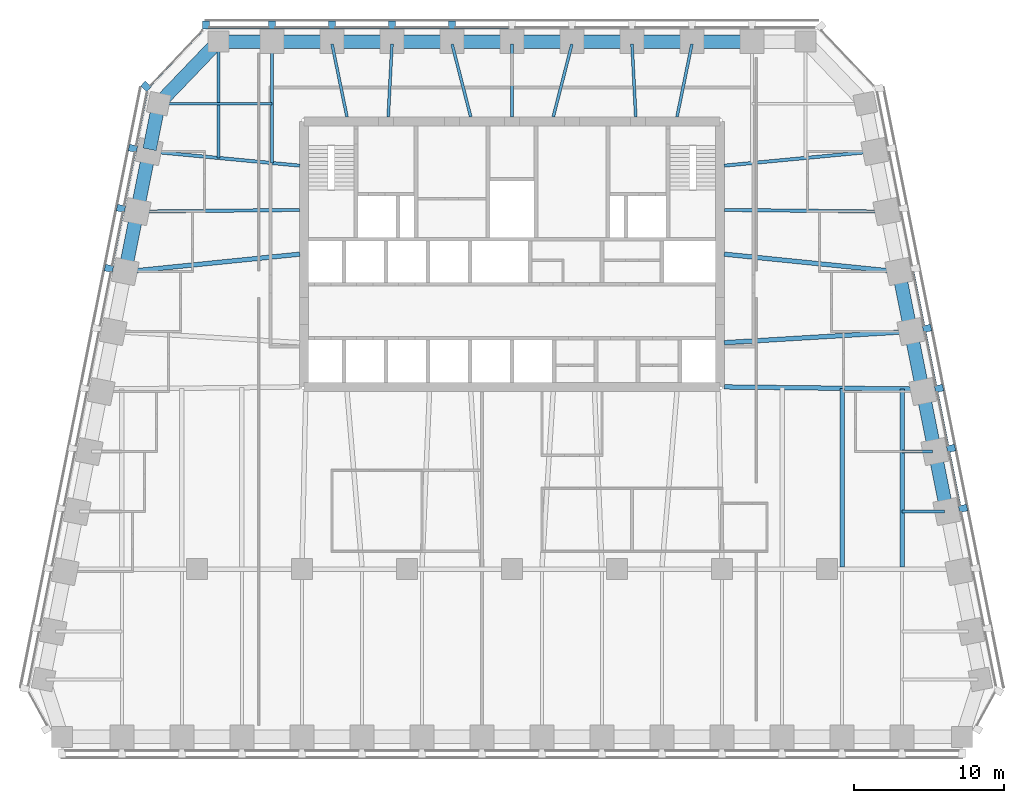
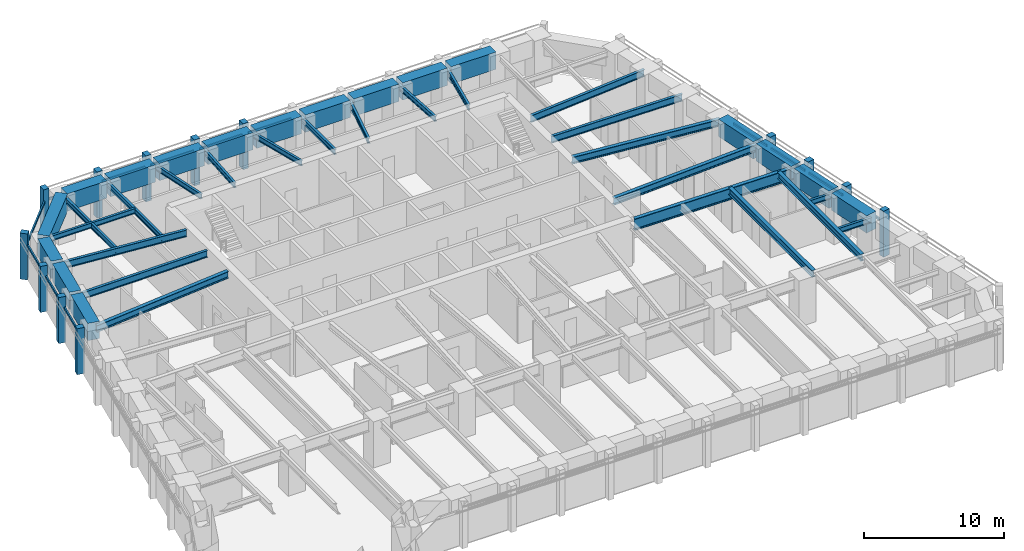
# One storey, part 3 of 10: 39 beams, 26 members, 4 elements without a shape of their own.
"""IFC4 building model written with IfcOpenShell, lengths in metres."""

from ifc_helpers import new_model, si_unit, direction, frame, origin, origin_2d, place, context, subcontext, project, spatial, rectangle, i_section, extrude, material, material_profile, profile_set, type_object, element, aggregate, save


model = new_model("IFC4")

# Units and contexts
model_context = context("Model", 3, precision=1e-05, world=origin(), true_north=direction((0.0, 1.0)))
body_context = subcontext(model_context, "Body", "Model", "MODEL_VIEW")
ifc_project = project(units=[si_unit("LENGTHUNIT", "METRE"), si_unit("AREAUNIT", "SQUARE_METRE"), si_unit("VOLUMEUNIT", "CUBIC_METRE"), si_unit("PLANEANGLEUNIT", "RADIAN"), si_unit("MASSUNIT", "GRAM", prefix="KILO")], contexts=[model_context])

# Site, building, storey
site_placement = place(None, origin())
site = spatial("IfcSite", under=ifc_project, at=site_placement, CompositionType="ELEMENT")
building_placement = place(site_placement, origin())
building = spatial("IfcBuilding", under=site, at=building_placement, Name="Isbrekke Arena Tower", CompositionType="ELEMENT")
storey_placement = place(building_placement, frame((0.0, 0.0, 198.0)))
storey = spatial("IfcBuildingStorey", under=building, at=storey_placement, Name="L45", CompositionType="ELEMENT", Elevation=198.0)

# Beams
ifc_material_1 = material(Name="Steel S355", Category="steel")
ifc_material_profile_1 = material_profile(ifc_material_1, i_section(OverallWidth=0.219970703125, OverallDepth=0.60009765625, WebThickness=0.011962890625, FlangeThickness=0.01904296875, FilletRadius=0.02392578125, at=origin_2d()), Name="IPE 600")
ifc_profile_set_1 = profile_set([ifc_material_profile_1], Name="Steel S355")
beam_type_1 = type_object("IfcBeamType", Name="B1 IPE 600", PredefinedType="BEAM", material=ifc_profile_set_1)
beam_1_placement = place(storey_placement, frame((24.83984375, 17.838134765625, 3.550048828125), z_axis=(-0.999945299061, 0.010459392202, 0.0), x_axis=(-0.010459392202, -0.999945299061, 0.0)))
element("IfcBeam", 1, at=beam_1_placement, inside=storey, type_object=beam_type_1, Name="B1 beam E-E09 L45", PredefinedType="BEAM", context=body_context, shape_type="SweptSolid", body=[
    extrude(i_section(OverallWidth=0.219970703125, OverallDepth=0.60009765625, WebThickness=0.011962890625, FlangeThickness=0.01904296875, FilletRadius=0.02392578125, at=origin_2d()), origin(), (0.0, 0.0, 1.0), 10.6904296875),
])
for number, where, z_axis, x_axis, name in (
    (2, (24.03076171875, 21.837158203125, 3.550048828125), (-0.99553133081, -0.094431823952, 0.0), (0.094431823952, -0.99553133081, 0.0), "B1 beam E-E10 L45"),
    (3, (-24.03076171875, 21.837158203125, 3.550048828125), (0.99553133081, -0.094431823952, 0.0), (0.094431823952, 0.99553133081, 0.0), "B1 beam E-W02 L45"),
):
    element("IfcBeam", number, at=place(storey_placement, frame(where, z_axis=z_axis, x_axis=x_axis)), inside=storey, type_object=beam_type_1, Name=name, PredefinedType="BEAM", context=body_context, shape_type="SweptSolid", body=[
        extrude(i_section(OverallWidth=0.219970703125, OverallDepth=0.60009765625, WebThickness=0.011962890625, FlangeThickness=0.01904296875, FilletRadius=0.02392578125, at=origin_2d()), origin(), (0.0, 0.0, 1.0), 9.92529296875),
    ])
beam_2_placement = place(storey_placement, frame((-24.83984375, 17.838134765625, 3.550048828125), z_axis=(0.999945299061, 0.010459392202, 0.0), x_axis=(-0.010459392202, 0.999945299061, 0.0)))
element("IfcBeam", 4, at=beam_2_placement, inside=storey, type_object=beam_type_1, Name="B1 beam E-W03 L45", PredefinedType="BEAM", context=body_context, shape_type="SweptSolid", body=[
    extrude(i_section(OverallWidth=0.219970703125, OverallDepth=0.60009765625, WebThickness=0.011962890625, FlangeThickness=0.01904296875, FilletRadius=0.02392578125, at=origin_2d()), origin(), (0.0, 0.0, 1.0), 10.6904296875),
])
ifc_material_2 = material(Name="Steel S355", Category="steel")
ifc_material_profile_2 = material_profile(ifc_material_2, i_section(OverallWidth=0.18994140625, OverallDepth=0.449951171875, WebThickness=0.009521484375, FlangeThickness=0.0146484375, FilletRadius=0.02099609375, at=origin_2d()), Name="IPE 450")
ifc_profile_set_2 = profile_set([ifc_material_profile_2], Name="Steel S355")
beam_type_2 = type_object("IfcBeamType", Name="B2 IPE 450", PredefinedType="BEAM", material=ifc_profile_set_2)
beam_3_placement = place(storey_placement, frame((28.841064453125, -2.161865234375, 3.625), z_axis=(-1.0, 0.0, 0.0), x_axis=(0.0, -1.0, 0.0)))
element("IfcBeam", 5, at=beam_3_placement, inside=storey, type_object=beam_type_2, Name="B2 beam E-E04 L45", PredefinedType="BEAM", context=body_context, shape_type="SweptSolid", body=[
    extrude(i_section(OverallWidth=0.18994140625, OverallDepth=0.449951171875, WebThickness=0.009521484375, FlangeThickness=0.0146484375, FilletRadius=0.02099609375, at=origin_2d()), origin(), (0.0, 0.0, 1.0), 2.841064453125),
])
beam_4_placement = place(storey_placement, frame((28.041015625, 1.838134765625, 3.625), z_axis=(-1.0, 0.0, 0.0), x_axis=(0.0, -1.0, 0.0)))
element("IfcBeam", 6, at=beam_4_placement, inside=storey, type_object=beam_type_2, Name="B2 beam E-E05 L45", PredefinedType="BEAM", context=body_context, shape_type="SweptSolid", body=[
    extrude(i_section(OverallWidth=0.18994140625, OverallDepth=0.449951171875, WebThickness=0.009521484375, FlangeThickness=0.0146484375, FilletRadius=0.02099609375, at=origin_2d()), origin(), (0.0, 0.0, 1.0), 2.041015625),
])
beam_5_placement = place(storey_placement, frame((-23.40283203125, 25.029296875, 3.625), z_axis=(1.0, 0.0, 0.0), x_axis=(0.0, 1.0, 0.0)))
element("IfcBeam", 7, at=beam_5_placement, inside=storey, type_object=beam_type_2, Name="B2 beam E-W01 L45", PredefinedType="BEAM", context=body_context, shape_type="SweptSolid", body=[
    extrude(i_section(OverallWidth=0.18994140625, OverallDepth=0.449951171875, WebThickness=0.009521484375, FlangeThickness=0.0146484375, FilletRadius=0.02099609375, at=origin_2d()), origin(), (0.0, 0.0, 1.0), 7.40283203125),
])
ifc_material_3 = material(Name="Steel S355", Category="steel")
ifc_material_profile_3 = material_profile(ifc_material_3, i_section(OverallWidth=0.18994140625, OverallDepth=0.449951171875, WebThickness=0.009521484375, FlangeThickness=0.0146484375, FilletRadius=0.02099609375, at=origin_2d()), Name="IPE 450")
ifc_profile_set_3 = profile_set([ifc_material_profile_3], Name="Steel S355")
beam_type_3 = type_object("IfcBeamType", Name="B3 IPE 450", PredefinedType="BEAM", material=ifc_profile_set_3)
beam_6_placement = place(storey_placement, frame((-16.0, 29.02490234375, 3.625), z_axis=(0.0, -1.0, 0.0), x_axis=(1.0, 0.0, 0.0)))
element("IfcBeam", 8, at=beam_6_placement, inside=storey, type_object=beam_type_3, Name="B3 beam N-N10 L45", PredefinedType="BEAM", context=body_context, shape_type="SweptSolid", body=[
    extrude(i_section(OverallWidth=0.18994140625, OverallDepth=0.449951171875, WebThickness=0.009521484375, FlangeThickness=0.0146484375, FilletRadius=0.02099609375, at=origin_2d()), origin(), (0.0, 0.0, 1.0), 7.949462890625),
])
beam_7_placement = place(storey_placement, frame((-19.574951171875, 29.02490234375, 3.625), z_axis=(0.0, -1.0, 0.0), x_axis=(1.0, 0.0, 0.0)))
element("IfcBeam", 9, at=beam_7_placement, inside=storey, type_object=beam_type_3, Name="B3 beam N-N11 L45", PredefinedType="BEAM", context=body_context, shape_type="SweptSolid", body=[
    extrude(i_section(OverallWidth=0.18994140625, OverallDepth=0.449951171875, WebThickness=0.009521484375, FlangeThickness=0.0146484375, FilletRadius=0.02099609375, at=origin_2d()), origin(), (0.0, 0.0, 1.0), 7.6103515625),
])
beam_8_placement = place(storey_placement, frame((11.99609375, 29.00634765625, 3.625), z_axis=(-0.200924755878, -0.979606677435, 0.0), x_axis=(0.979606677435, -0.200924755878, 0.0)))
element("IfcBeam", 10, at=beam_8_placement, inside=storey, type_object=beam_type_3, Name="B3 beam N-N03 L45", PredefinedType="BEAM", context=body_context, shape_type="SweptSolid", body=[
    extrude(i_section(OverallWidth=0.18994140625, OverallDepth=0.449951171875, WebThickness=0.009521484375, FlangeThickness=0.0146484375, FilletRadius=0.02099609375, at=origin_2d()), origin(), (0.0, 0.0, 1.0), 4.95751953125),
])
beam_9_placement = place(storey_placement, frame((8.000244140625, 29.02001953125, 3.625), z_axis=(0.051216032312, -0.998687597817, 0.0), x_axis=(0.998687597817, 0.051216032312, 0.0)))
element("IfcBeam", 11, at=beam_9_placement, inside=storey, type_object=beam_type_3, Name="B3 beam N-N04 L45", PredefinedType="BEAM", context=body_context, shape_type="SweptSolid", body=[
    extrude(i_section(OverallWidth=0.18994140625, OverallDepth=0.449951171875, WebThickness=0.009521484375, FlangeThickness=0.0146484375, FilletRadius=0.02099609375, at=origin_2d()), origin(), (0.0, 0.0, 1.0), 4.87646484375),
])
beam_10_placement = place(storey_placement, frame((3.994140625, 29.002197265625, 3.625), z_axis=(-0.248368314686, -0.968665670012, 0.0), x_axis=(0.968665670012, -0.248368314686, 0.0)))
element("IfcBeam", 12, at=beam_10_placement, inside=storey, type_object=beam_type_3, Name="B3 beam N-N05 L45", PredefinedType="BEAM", context=body_context, shape_type="SweptSolid", body=[
    extrude(i_section(OverallWidth=0.18994140625, OverallDepth=0.449951171875, WebThickness=0.009521484375, FlangeThickness=0.0146484375, FilletRadius=0.02099609375, at=origin_2d()), origin(), (0.0, 0.0, 1.0), 5.00927734375),
])
beam_11_placement = place(storey_placement, frame((0.0, 29.02490234375, 3.625), z_axis=(0.0, -1.0, 0.0), x_axis=(1.0, 0.0, 0.0)))
element("IfcBeam", 13, at=beam_11_placement, inside=storey, type_object=beam_type_3, Name="B3 beam N-N06 L45", PredefinedType="BEAM", context=body_context, shape_type="SweptSolid", body=[
    extrude(i_section(OverallWidth=0.18994140625, OverallDepth=0.449951171875, WebThickness=0.009521484375, FlangeThickness=0.0146484375, FilletRadius=0.02099609375, at=origin_2d()), origin(), (0.0, 0.0, 1.0), 4.875),
])
beam_12_placement = place(storey_placement, frame((-3.994140625, 29.002197265625, 3.625), z_axis=(0.248368314686, -0.968665670012, 0.0), x_axis=(0.968665670012, 0.248368314686, 0.0)))
element("IfcBeam", 14, at=beam_12_placement, inside=storey, type_object=beam_type_3, Name="B3 beam N-N07 L45", PredefinedType="BEAM", context=body_context, shape_type="SweptSolid", body=[
    extrude(i_section(OverallWidth=0.18994140625, OverallDepth=0.449951171875, WebThickness=0.009521484375, FlangeThickness=0.0146484375, FilletRadius=0.02099609375, at=origin_2d()), origin(), (0.0, 0.0, 1.0), 5.00927734375),
])
beam_13_placement = place(storey_placement, frame((-8.000244140625, 29.02001953125, 3.625), z_axis=(-0.051216032312, -0.998687597817, 0.0), x_axis=(0.998687597817, -0.051216032312, 0.0)))
element("IfcBeam", 15, at=beam_13_placement, inside=storey, type_object=beam_type_3, Name="B3 beam N-N08 L45", PredefinedType="BEAM", context=body_context, shape_type="SweptSolid", body=[
    extrude(i_section(OverallWidth=0.18994140625, OverallDepth=0.449951171875, WebThickness=0.009521484375, FlangeThickness=0.0146484375, FilletRadius=0.02099609375, at=origin_2d()), origin(), (0.0, 0.0, 1.0), 4.87646484375),
])
beam_14_placement = place(storey_placement, frame((-11.99609375, 29.00634765625, 3.625), z_axis=(0.200924755878, -0.979606677435, 0.0), x_axis=(0.979606677435, 0.200924755878, 0.0)))
element("IfcBeam", 16, at=beam_14_placement, inside=storey, type_object=beam_type_3, Name="B3 beam N-N09 L45", PredefinedType="BEAM", context=body_context, shape_type="SweptSolid", body=[
    extrude(i_section(OverallWidth=0.18994140625, OverallDepth=0.449951171875, WebThickness=0.009521484375, FlangeThickness=0.0146484375, FilletRadius=0.02099609375, at=origin_2d()), origin(), (0.0, 0.0, 1.0), 4.95751953125),
])
ifc_material_4 = material(Name="Steel S355", Category="steel")
ifc_material_profile_4 = material_profile(ifc_material_4, i_section(OverallWidth=0.300048828125, OverallDepth=0.60009765625, WebThickness=0.015380859375, FlangeThickness=0.030029296875, FilletRadius=0.027099609375, at=origin_2d()), Name="HEB 600")
ifc_profile_set_4 = profile_set([ifc_material_profile_4], Name="Steel S355")
beam_type_4 = type_object("IfcBeamType", Name="B7 HEB 600", PredefinedType="BEAM", material=ifc_profile_set_4)
beam_15_placement = place(storey_placement, frame((22.0, -5.84912109375, 3.550048828125), z_axis=(0.0, 1.0, 0.0), x_axis=(-1.0, 0.0, 0.0)))
element("IfcBeam", 17, at=beam_15_placement, inside=storey, type_object=beam_type_4, Name="B7 beam C-M13 L45", PredefinedType="BEAM", context=body_context, shape_type="SweptSolid", body=[
    extrude(i_section(OverallWidth=0.300048828125, OverallDepth=0.60009765625, WebThickness=0.015380859375, FlangeThickness=0.030029296875, FilletRadius=0.027099609375, at=origin_2d()), origin(), (0.0, 0.0, 1.0), 11.91015625),
])
beam_16_placement = place(storey_placement, frame((26.0, -5.84912109375, 3.550048828125), z_axis=(0.0, 1.0, 0.0), x_axis=(-1.0, 0.0, 0.0)))
element("IfcBeam", 18, at=beam_16_placement, inside=storey, type_object=beam_type_4, Name="B7 beam C-M14 L45", PredefinedType="BEAM", context=body_context, shape_type="SweptSolid", body=[
    extrude(i_section(OverallWidth=0.300048828125, OverallDepth=0.60009765625, WebThickness=0.015380859375, FlangeThickness=0.030029296875, FilletRadius=0.027099609375, at=origin_2d()), origin(), (0.0, 0.0, 1.0), 11.864990234375),
])
beam_17_placement = place(storey_placement, frame((26.43212890625, 9.837646484375, 3.550048828125), z_axis=(-0.998201854902, -0.059942112659, 0.0), x_axis=(0.059942112659, -0.998201854902, 0.0)))
element("IfcBeam", 19, at=beam_17_placement, inside=storey, type_object=beam_type_4, Name="B7 beam E-E07 L45", PredefinedType="BEAM", context=body_context, shape_type="SweptSolid", body=[
    extrude(i_section(OverallWidth=0.300048828125, OverallDepth=0.60009765625, WebThickness=0.015380859375, FlangeThickness=0.030029296875, FilletRadius=0.027099609375, at=origin_2d()), origin(), (0.0, 0.0, 1.0), 12.304443359375),
])
for number, where, z_axis, x_axis, name in (
    (20, (25.6259765625, 13.83984375, 3.550048828125), (-0.994928891111, 0.100580821396, 0.0), (-0.100580821396, -0.994928891111, 0.0), "B7 beam E-E08 L45"),
    (21, (-25.6259765625, 13.83984375, 3.550048828125), (0.994928891111, 0.100580821396, 0.0), (-0.100580821396, 0.994928891111, 0.0), "B7 beam E-W04 L45"),
):
    element("IfcBeam", number, at=place(storey_placement, frame(where, z_axis=z_axis, x_axis=x_axis)), inside=storey, type_object=beam_type_4, Name=name, PredefinedType="BEAM", context=body_context, shape_type="SweptSolid", body=[
        extrude(i_section(OverallWidth=0.300048828125, OverallDepth=0.60009765625, WebThickness=0.015380859375, FlangeThickness=0.030029296875, FilletRadius=0.027099609375, at=origin_2d()), origin(), (0.0, 0.0, 1.0), 11.53466796875),
    ])

# Curtain wall, members
ifc_material_5 = material(Name="Glazed aluminium curtain wall", Category="aluminium")
curtain_wall_type = type_object("IfcCurtainWallType", Name="CWH TOWER CURTAIN WALL HIGH ZONE", PredefinedType="USERDEFINED", material=ifc_material_5)
curtain_wall_1_placement = place(storey_placement, origin())
curtain_wall_1 = element("IfcCurtainWall", 22, at=curtain_wall_1_placement, inside=storey, type_object=curtain_wall_type, Name="CWH curtain wall L45-E", ObjectType="TOWER CURTAIN WALL HIGH ZONE", PredefinedType="USERDEFINED")
ifc_material_6 = material(Name="Aluminium mullion, pale brick slip cladding", Category="masonry")
ifc_material_profile_5 = material_profile(ifc_material_6, rectangle(XDim=0.449951171875, YDim=0.550048828125, at=origin_2d()), Name="PIER 450X550")
ifc_profile_set_5 = profile_set([ifc_material_profile_5], Name="Aluminium mullion, pale brick slip cladding")
member_type_1 = type_object("IfcMemberType", Name="CWH-M PIER MULLION 450 x 550", PredefinedType="MULLION", material=ifc_profile_set_5)
member_1_placement = place(storey_placement, frame((30.069580078125, -1.946044921875, 0.0), z_axis=(0.0, 0.0, 1.0), x_axis=(-0.196116135138, 0.980580675691, 0.0)))
member_1 = element("IfcMember", 23, at=member_1_placement, type_object=member_type_1, Name="CWH-M mullion 3", PredefinedType="MULLION", context=body_context, shape_type="SweptSolid", body=[
    extrude(rectangle(XDim=0.449951171875, YDim=0.550048828125, at=origin_2d()), origin(), (0.0, 0.0, 1.0), 4.0),
])
member_2_placement = place(storey_placement, frame((29.269775390625, 2.053955078125, 0.0), z_axis=(0.0, 0.0, 1.0), x_axis=(-0.196116135138, 0.980580675691, 0.0)))
member_2 = element("IfcMember", 24, at=member_2_placement, type_object=member_type_1, Name="CWH-M mullion 4", PredefinedType="MULLION", context=body_context, shape_type="SweptSolid", body=[
    extrude(rectangle(XDim=0.449951171875, YDim=0.550048828125, at=origin_2d()), origin(), (0.0, 0.0, 1.0), 4.0),
])
member_3_placement = place(storey_placement, frame((28.4697265625, 6.053955078125, 0.0), z_axis=(0.0, 0.0, 1.0), x_axis=(-0.196116135138, 0.980580675691, 0.0)))
member_3 = element("IfcMember", 25, at=member_3_placement, type_object=member_type_1, Name="CWH-M mullion 5", PredefinedType="MULLION", context=body_context, shape_type="SweptSolid", body=[
    extrude(rectangle(XDim=0.449951171875, YDim=0.550048828125, at=origin_2d()), origin(), (0.0, 0.0, 1.0), 4.0),
])
member_4_placement = place(storey_placement, frame((27.669677734375, 10.053955078125, 0.0), z_axis=(0.0, 0.0, 1.0), x_axis=(-0.196116135138, 0.980580675691, 0.0)))
member_4 = element("IfcMember", 26, at=member_4_placement, type_object=member_type_1, Name="CWH-M mullion 6", PredefinedType="MULLION", context=body_context, shape_type="SweptSolid", body=[
    extrude(rectangle(XDim=0.449951171875, YDim=0.550048828125, at=origin_2d()), origin(), (0.0, 0.0, 1.0), 4.0),
])

curtain_wall_2_placement = place(storey_placement, origin())
curtain_wall_2 = element("IfcCurtainWall", 27, at=curtain_wall_2_placement, inside=storey, type_object=curtain_wall_type, Name="CWH curtain wall L45-N", ObjectType="TOWER CURTAIN WALL HIGH ZONE", PredefinedType="USERDEFINED")
member_5_placement = place(storey_placement, frame((-4.0, 30.27490234375, 0.0), z_axis=(0.0, 0.0, 1.0), x_axis=(-1.0, 0.0, 0.0)))
member_5 = element("IfcMember", 28, at=member_5_placement, type_object=member_type_1, Name="CWH-M mullion 6", PredefinedType="MULLION", context=body_context, shape_type="SweptSolid", body=[
    extrude(rectangle(XDim=0.449951171875, YDim=0.550048828125, at=origin_2d()), origin(), (0.0, 0.0, 1.0), 4.0),
])
member_6_placement = place(storey_placement, frame((-8.0, 30.27490234375, 0.0), z_axis=(0.0, 0.0, 1.0), x_axis=(-1.0, 0.0, 0.0)))
member_6 = element("IfcMember", 29, at=member_6_placement, type_object=member_type_1, Name="CWH-M mullion 7", PredefinedType="MULLION", context=body_context, shape_type="SweptSolid", body=[
    extrude(rectangle(XDim=0.449951171875, YDim=0.550048828125, at=origin_2d()), origin(), (0.0, 0.0, 1.0), 4.0),
])
member_7_placement = place(storey_placement, frame((-12.0, 30.27490234375, 0.0), z_axis=(0.0, 0.0, 1.0), x_axis=(-1.0, 0.0, 0.0)))
member_7 = element("IfcMember", 30, at=member_7_placement, type_object=member_type_1, Name="CWH-M mullion 8", PredefinedType="MULLION", context=body_context, shape_type="SweptSolid", body=[
    extrude(rectangle(XDim=0.449951171875, YDim=0.550048828125, at=origin_2d()), origin(), (0.0, 0.0, 1.0), 4.0),
])
member_8_placement = place(storey_placement, frame((-16.0, 30.27490234375, 0.0), z_axis=(0.0, 0.0, 1.0), x_axis=(-1.0, 0.0, 0.0)))
member_8 = element("IfcMember", 31, at=member_8_placement, type_object=member_type_1, Name="CWH-M mullion 9", PredefinedType="MULLION", context=body_context, shape_type="SweptSolid", body=[
    extrude(rectangle(XDim=0.449951171875, YDim=0.550048828125, at=origin_2d()), origin(), (0.0, 0.0, 1.0), 4.0),
])
member_9_placement = place(storey_placement, frame((-20.39990234375, 30.27490234375, 0.0), z_axis=(0.0, 0.0, 1.0), x_axis=(-1.0, 0.0, 0.0)))
member_9 = element("IfcMember", 32, at=member_9_placement, type_object=member_type_1, Name="CWH-M mullion 10", PredefinedType="MULLION", context=body_context, shape_type="SweptSolid", body=[
    extrude(rectangle(XDim=0.449951171875, YDim=0.550048828125, at=origin_2d()), origin(), (0.0, 0.0, 1.0), 4.0),
])

# Curtain wall, member
curtain_wall_3_placement = place(storey_placement, origin())
curtain_wall_3 = element("IfcCurtainWall", 33, at=curtain_wall_3_placement, inside=storey, type_object=curtain_wall_type, Name="CWH curtain wall L45-NW", ObjectType="TOWER CURTAIN WALL HIGH ZONE", PredefinedType="USERDEFINED")
member_10_placement = place(storey_placement, frame((-24.3994140625, 26.189453125, 0.0), z_axis=(0.0, 0.0, 1.0), x_axis=(-0.68874946192, -0.72499943359, 0.0)))
member_10 = element("IfcMember", 34, at=member_10_placement, type_object=member_type_1, Name="CWH-M mullion 1", PredefinedType="MULLION", context=body_context, shape_type="SweptSolid", body=[
    extrude(rectangle(XDim=0.449951171875, YDim=0.550048828125, at=origin_2d()), origin(), (0.0, 0.0, 1.0), 4.0),
])

# Curtain wall, members
curtain_wall_4_placement = place(storey_placement, origin())
curtain_wall_4 = element("IfcCurtainWall", 35, at=curtain_wall_4_placement, inside=storey, type_object=curtain_wall_type, Name="CWH curtain wall L45-W", ObjectType="TOWER CURTAIN WALL HIGH ZONE", PredefinedType="USERDEFINED")
member_11_placement = place(storey_placement, frame((-25.269775390625, 22.053955078125, 0.0), z_axis=(0.0, 0.0, 1.0), x_axis=(-0.196116135138, -0.980580675691, 0.0)))
member_11 = element("IfcMember", 36, at=member_11_placement, type_object=member_type_1, Name="CWH-M mullion 1", PredefinedType="MULLION", context=body_context, shape_type="SweptSolid", body=[
    extrude(rectangle(XDim=0.449951171875, YDim=0.550048828125, at=origin_2d()), origin(), (0.0, 0.0, 1.0), 4.0),
])
member_12_placement = place(storey_placement, frame((-26.069580078125, 18.053955078125, 0.0), z_axis=(0.0, 0.0, 1.0), x_axis=(-0.196116135138, -0.980580675691, 0.0)))
member_12 = element("IfcMember", 37, at=member_12_placement, type_object=member_type_1, Name="CWH-M mullion 2", PredefinedType="MULLION", context=body_context, shape_type="SweptSolid", body=[
    extrude(rectangle(XDim=0.449951171875, YDim=0.550048828125, at=origin_2d()), origin(), (0.0, 0.0, 1.0), 4.0),
])
member_13_placement = place(storey_placement, frame((-26.86962890625, 14.053955078125, 0.0), z_axis=(0.0, 0.0, 1.0), x_axis=(-0.196116135138, -0.980580675691, 0.0)))
member_13 = element("IfcMember", 38, at=member_13_placement, type_object=member_type_1, Name="CWH-M mullion 3", PredefinedType="MULLION", context=body_context, shape_type="SweptSolid", body=[
    extrude(rectangle(XDim=0.449951171875, YDim=0.550048828125, at=origin_2d()), origin(), (0.0, 0.0, 1.0), 4.0),
])

# Member
ifc_material_7 = material(Name="Aluminium transom", Category="aluminium")
ifc_material_profile_6 = material_profile(ifc_material_7, rectangle(XDim=0.1201171875, YDim=0.199951171875, at=origin_2d()), Name="TRANSOM 120X200")
ifc_profile_set_6 = profile_set([ifc_material_profile_6], Name="Aluminium transom")
member_type_2 = type_object("IfcMemberType", Name="CWH-T TRANSOM 120 x 200", PredefinedType="USERDEFINED", material=ifc_profile_set_6)
member_14_placement = place(storey_placement, frame((29.85400390625, -1.759765625, 3.0), z_axis=(-0.196154943734, 0.980572913173, 0.0), x_axis=(-0.980572913173, -0.196154943734, 0.0)))
member_14 = element("IfcMember", 39, at=member_14_placement, type_object=member_type_2, Name="CWH-T transom 4", ObjectType="TRANSOM", PredefinedType="USERDEFINED", context=body_context, shape_type="SweptSolid", body=[
    extrude(rectangle(XDim=0.1201171875, YDim=0.199951171875, at=origin_2d()), origin(), (0.0, 0.0, 1.0), 3.62939453125),
])

member_15_placement = place(storey_placement, frame((29.053955078125, 2.240234375, 3.0), z_axis=(-0.196090262229, 0.980585849918, 0.0), x_axis=(-0.980585849918, -0.196090262229, 0.0)))
member_15 = element("IfcMember", 40, at=member_15_placement, type_object=member_type_2, Name="CWH-T transom 5", ObjectType="TRANSOM", PredefinedType="USERDEFINED", context=body_context, shape_type="SweptSolid", body=[
    extrude(rectangle(XDim=0.1201171875, YDim=0.199951171875, at=origin_2d()), origin(), (0.0, 0.0, 1.0), 3.62939453125),
])

member_16_placement = place(storey_placement, frame((28.25390625, 6.240234375, 3.0), z_axis=(-0.196090262229, 0.980585849918, 0.0), x_axis=(-0.980585849918, -0.196090262229, 0.0)))
member_16 = element("IfcMember", 41, at=member_16_placement, type_object=member_type_2, Name="CWH-T transom 6", ObjectType="TRANSOM", PredefinedType="USERDEFINED", context=body_context, shape_type="SweptSolid", body=[
    extrude(rectangle(XDim=0.1201171875, YDim=0.199951171875, at=origin_2d()), origin(), (0.0, 0.0, 1.0), 3.62939453125),
])

member_17_placement = place(storey_placement, frame((27.453857421875, 10.240234375, 3.0), z_axis=(-0.196090262229, 0.980585849918, 0.0), x_axis=(-0.980585849918, -0.196090262229, 0.0)))
member_17 = element("IfcMember", 42, at=member_17_placement, type_object=member_type_2, Name="CWH-T transom 7", ObjectType="TRANSOM", PredefinedType="USERDEFINED", context=body_context, shape_type="SweptSolid", body=[
    extrude(rectangle(XDim=0.1201171875, YDim=0.199951171875, at=origin_2d()), origin(), (0.0, 0.0, 1.0), 3.62939453125),
])

aggregate(curtain_wall_1, [member_1, member_2, member_3, member_4, member_14, member_15, member_16, member_17])

member_18_placement = place(storey_placement, frame((-0.22509765625, 30.10009765625, 3.0), z_axis=(-1.0, 0.0, 0.0), x_axis=(0.0, -1.0, 0.0)))
member_18 = element("IfcMember", 43, at=member_18_placement, type_object=member_type_2, Name="CWH-T transom 6", ObjectType="TRANSOM", PredefinedType="USERDEFINED", context=body_context, shape_type="SweptSolid", body=[
    extrude(rectangle(XDim=0.1201171875, YDim=0.199951171875, at=origin_2d()), origin(), (0.0, 0.0, 1.0), 3.5498046875),
])

member_19_placement = place(storey_placement, frame((-4.22509765625, 30.10009765625, 3.0), z_axis=(-1.0, 0.0, 0.0), x_axis=(0.0, -1.0, 0.0)))
member_19 = element("IfcMember", 44, at=member_19_placement, type_object=member_type_2, Name="CWH-T transom 7", ObjectType="TRANSOM", PredefinedType="USERDEFINED", context=body_context, shape_type="SweptSolid", body=[
    extrude(rectangle(XDim=0.1201171875, YDim=0.199951171875, at=origin_2d()), origin(), (0.0, 0.0, 1.0), 3.5498046875),
])

member_20_placement = place(storey_placement, frame((-8.22509765625, 30.10009765625, 3.0), z_axis=(-1.0, 0.0, 0.0), x_axis=(0.0, -1.0, 0.0)))
member_20 = element("IfcMember", 45, at=member_20_placement, type_object=member_type_2, Name="CWH-T transom 8", ObjectType="TRANSOM", PredefinedType="USERDEFINED", context=body_context, shape_type="SweptSolid", body=[
    extrude(rectangle(XDim=0.1201171875, YDim=0.199951171875, at=origin_2d()), origin(), (0.0, 0.0, 1.0), 3.5498046875),
])

member_21_placement = place(storey_placement, frame((-12.22509765625, 30.10009765625, 3.0), z_axis=(-1.0, 0.0, 0.0), x_axis=(0.0, -1.0, 0.0)))
member_21 = element("IfcMember", 46, at=member_21_placement, type_object=member_type_2, Name="CWH-T transom 9", ObjectType="TRANSOM", PredefinedType="USERDEFINED", context=body_context, shape_type="SweptSolid", body=[
    extrude(rectangle(XDim=0.1201171875, YDim=0.199951171875, at=origin_2d()), origin(), (0.0, 0.0, 1.0), 3.5498046875),
])

member_22_placement = place(storey_placement, frame((-16.22509765625, 30.10009765625, 3.0), z_axis=(-1.0, 0.0, 0.0), x_axis=(0.0, -1.0, 0.0)))
member_22 = element("IfcMember", 47, at=member_22_placement, type_object=member_type_2, Name="CWH-T transom 10", ObjectType="TRANSOM", PredefinedType="USERDEFINED", context=body_context, shape_type="SweptSolid", body=[
    extrude(rectangle(XDim=0.1201171875, YDim=0.199951171875, at=origin_2d()), origin(), (0.0, 0.0, 1.0), 3.949951171875),
])

aggregate(curtain_wall_2, [member_5, member_6, member_7, member_8, member_9, member_18, member_19, member_20, member_21, member_22])

member_23_placement = place(storey_placement, frame((-20.62744140625, 29.90576171875, 3.0), z_axis=(-0.688734266994, -0.725013868466, 0.0), x_axis=(0.725013868466, -0.688734266994, 0.0)))
member_23 = element("IfcMember", 48, at=member_23_placement, type_object=member_type_2, Name="CWH-T transom 1", ObjectType="TRANSOM", PredefinedType="USERDEFINED", context=body_context, shape_type="SweptSolid", body=[
    extrude(rectangle(XDim=0.1201171875, YDim=0.199951171875, at=origin_2d()), origin(), (0.0, 0.0, 1.0), 5.067138671875),
])

aggregate(curtain_wall_3, [member_10, member_23])

member_24_placement = place(storey_placement, frame((-24.34228515625, 25.799072265625, 3.0), z_axis=(-0.196090262229, -0.980585849918, 0.0), x_axis=(0.980585849918, -0.196090262229, 0.0)))
member_24 = element("IfcMember", 49, at=member_24_placement, type_object=member_type_2, Name="CWH-T transom 1", ObjectType="TRANSOM", PredefinedType="USERDEFINED", context=body_context, shape_type="SweptSolid", body=[
    extrude(rectangle(XDim=0.1201171875, YDim=0.199951171875, at=origin_2d()), origin(), (0.0, 0.0, 1.0), 3.62939453125),
])

member_25_placement = place(storey_placement, frame((-25.14208984375, 21.799072265625, 3.0), z_axis=(-0.196154943734, -0.980572913173, 0.0), x_axis=(0.980572913173, -0.196154943734, 0.0)))
member_25 = element("IfcMember", 50, at=member_25_placement, type_object=member_type_2, Name="CWH-T transom 2", ObjectType="TRANSOM", PredefinedType="USERDEFINED", context=body_context, shape_type="SweptSolid", body=[
    extrude(rectangle(XDim=0.1201171875, YDim=0.199951171875, at=origin_2d()), origin(), (0.0, 0.0, 1.0), 3.62939453125),
])

member_26_placement = place(storey_placement, frame((-25.942138671875, 17.799072265625, 3.0), z_axis=(-0.196154943734, -0.980572913173, 0.0), x_axis=(0.980572913173, -0.196154943734, 0.0)))
member_26 = element("IfcMember", 51, at=member_26_placement, type_object=member_type_2, Name="CWH-T transom 3", ObjectType="TRANSOM", PredefinedType="USERDEFINED", context=body_context, shape_type="SweptSolid", body=[
    extrude(rectangle(XDim=0.1201171875, YDim=0.199951171875, at=origin_2d()), origin(), (0.0, 0.0, 1.0), 3.62939453125),
])

aggregate(curtain_wall_4, [member_11, member_12, member_13, member_24, member_25, member_26])

# Beams
ifc_material_8 = material(Name="Steel S355", Category="steel")
ifc_material_profile_7 = material_profile(ifc_material_8, i_section(OverallWidth=0.302001953125, OverallDepth=1.008056640625, WebThickness=0.02099609375, FlangeThickness=0.0400390625, FilletRadius=0.030029296875, at=origin_2d()), Name="HEM 1000")
ifc_profile_set_7 = profile_set([ifc_material_profile_7], Name="Steel S355")
beam_type_5 = type_object("IfcBeamType", Name="G2 HEM 1000", PredefinedType="BEAM", material=ifc_profile_set_7)
beam_18_placement = place(storey_placement, frame((14.14990234375, 6.14990234375, 3.345947265625), z_axis=(0.999935908299, -0.011321629528, 0.0), x_axis=(0.011321629528, 0.999935908299, 0.0)))
element("IfcBeam", 52, at=beam_18_placement, inside=storey, type_object=beam_type_5, Name="G2 beam G2-E L45", PredefinedType="BEAM", context=body_context, shape_type="SweptSolid", body=[
    extrude(i_section(OverallWidth=0.302001953125, OverallDepth=1.008056640625, WebThickness=0.02099609375, FlangeThickness=0.0400390625, FilletRadius=0.030029296875, at=origin_2d()), origin(), (0.0, 0.0, 1.0), 13.240234375),
])
ifc_material_9 = material(Name="Concrete B65 (C65/80)", Category="concrete")
ifc_material_profile_8 = material_profile(ifc_material_9, rectangle(XDim=0.89990234375, YDim=1.5, at=origin_2d()), Name="RC 900x1500")
ifc_profile_set_8 = profile_set([ifc_material_profile_8], Name="Concrete B65 (C65/80)")
beam_type_6 = type_object("IfcBeamType", Name="SB3 RC 900 x 1500", PredefinedType="SPANDREL", material=ifc_profile_set_8)
for number, where, z_axis, x_axis, name in (
    (53, (28.961669921875, -2.0146484375, 3.25), (-0.196128558387, 0.980578190959, 0.0), (-0.980578190959, -0.196128558387, 0.0), "SB3 spandrel E04-E05 L45"),
    (54, (28.16162109375, 1.9853515625, 3.25), (-0.196128558387, 0.980578190959, 0.0), (-0.980578190959, -0.196128558387, 0.0), "SB3 spandrel E05-E06 L45"),
    (55, (27.361572265625, 5.9853515625, 3.25), (-0.196128558387, 0.980578190959, 0.0), (-0.980578190959, -0.196128558387, 0.0), "SB3 spandrel E06-E07 L45"),
):
    element("IfcBeam", number, at=place(storey_placement, frame(where, z_axis=z_axis, x_axis=x_axis)), inside=storey, type_object=beam_type_6, Name=name, PredefinedType="SPANDREL", context=body_context, shape_type="SweptSolid", body=[
        extrude(rectangle(XDim=0.89990234375, YDim=1.5, at=origin_2d()), origin(), (0.0, 0.0, 1.0), 3.779296875),
    ])
beam_19_placement = place(storey_placement, frame((26.5615234375, 9.9853515625, 3.25), z_axis=(-0.1960664412, 0.980590613169, 0.0), x_axis=(-0.980590613169, -0.1960664412, 0.0)))
element("IfcBeam", 56, at=beam_19_placement, inside=storey, type_object=beam_type_6, Name="SB3 spandrel E07-E08 L45", PredefinedType="SPANDREL", context=body_context, shape_type="SweptSolid", body=[
    extrude(rectangle(XDim=0.89990234375, YDim=1.5, at=origin_2d()), origin(), (0.0, 0.0, 1.0), 3.779052734375),
])
for number, where, z_axis, x_axis, name in (
    (57, (15.85009765625, 29.175048828125, 3.25), (-1.0, 0.0, 0.0), (0.0, -1.0, 0.0), "SB3 spandrel N02-N03 L45"),
    (58, (11.85009765625, 29.175048828125, 3.25), (-1.0, 0.0, 0.0), (0.0, -1.0, 0.0), "SB3 spandrel N03-N04 L45"),
    (59, (7.85009765625, 29.175048828125, 3.25), (-1.0, 0.0, 0.0), (0.0, -1.0, 0.0), "SB3 spandrel N04-N05 L45"),
    (60, (3.85009765625, 29.175048828125, 3.25), (-1.0, 0.0, 0.0), (0.0, -1.0, 0.0), "SB3 spandrel N05-N06 L45"),
    (61, (-0.14990234375, 29.175048828125, 3.25), (-1.0, 0.0, 0.0), (0.0, -1.0, 0.0), "SB3 spandrel N06-N07 L45"),
    (62, (-4.14990234375, 29.175048828125, 3.25), (-1.0, 0.0, 0.0), (0.0, -1.0, 0.0), "SB3 spandrel N07-N08 L45"),
    (63, (-8.14990234375, 29.175048828125, 3.25), (-1.0, 0.0, 0.0), (0.0, -1.0, 0.0), "SB3 spandrel N08-N09 L45"),
    (64, (-12.14990234375, 29.175048828125, 3.25), (-1.0, 0.0, 0.0), (0.0, -1.0, 0.0), "SB3 spandrel N09-N10 L45"),
):
    element("IfcBeam", number, at=place(storey_placement, frame(where, z_axis=z_axis, x_axis=x_axis)), inside=storey, type_object=beam_type_6, Name=name, PredefinedType="SPANDREL", context=body_context, shape_type="SweptSolid", body=[
        extrude(rectangle(XDim=0.89990234375, YDim=1.5, at=origin_2d()), origin(), (0.0, 0.0, 1.0), 3.7001953125),
    ])
beam_20_placement = place(storey_placement, frame((-16.14990234375, 29.175048828125, 3.25), z_axis=(-1.0, 0.0, 0.0), x_axis=(0.0, -1.0, 0.0)))
element("IfcBeam", 65, at=beam_20_placement, inside=storey, type_object=beam_type_6, Name="SB3 spandrel N10-N11 L45", PredefinedType="SPANDREL", context=body_context, shape_type="SweptSolid", body=[
    extrude(rectangle(XDim=0.89990234375, YDim=1.5, at=origin_2d()), origin(), (0.0, 0.0, 1.0), 3.275146484375),
])
beam_21_placement = place(storey_placement, frame((-19.678955078125, 29.066650390625, 3.25), z_axis=(-0.692339547635, -0.721571861134, 0.0), x_axis=(0.721571861134, -0.692339547635, 0.0)))
element("IfcBeam", 66, at=beam_21_placement, inside=storey, type_object=beam_type_6, Name="SB3 spandrel N11-W01 L45", PredefinedType="SPANDREL", context=body_context, shape_type="SweptSolid", body=[
    extrude(rectangle(XDim=0.89990234375, YDim=1.5, at=origin_2d()), origin(), (0.0, 0.0, 1.0), 5.4453125),
])
beam_22_placement = place(storey_placement, frame((-23.582275390625, 24.882080078125, 3.25), z_axis=(-0.196116135138, -0.980580675691, 0.0), x_axis=(0.980580675691, -0.196116135138, 0.0)))
element("IfcBeam", 67, at=beam_22_placement, inside=storey, type_object=beam_type_6, Name="SB3 spandrel W01-W02 L45", PredefinedType="SPANDREL", context=body_context, shape_type="SweptSolid", body=[
    extrude(rectangle(XDim=0.89990234375, YDim=1.5, at=origin_2d()), origin(), (0.0, 0.0, 1.0), 2.9541015625),
])
for number, where, z_axis, x_axis, name in (
    (68, (-24.220458984375, 21.691162109375, 3.25), (-0.196128558387, -0.980578190959, 0.0), (0.980578190959, -0.196128558387, 0.0), "SB3 spandrel W02-W03 L45"),
    (69, (-25.0205078125, 17.691162109375, 3.25), (-0.196128558387, -0.980578190959, 0.0), (0.980578190959, -0.196128558387, 0.0), "SB3 spandrel W03-W04 L45"),
):
    element("IfcBeam", number, at=place(storey_placement, frame(where, z_axis=z_axis, x_axis=x_axis)), inside=storey, type_object=beam_type_6, Name=name, PredefinedType="SPANDREL", context=body_context, shape_type="SweptSolid", body=[
        extrude(rectangle(XDim=0.89990234375, YDim=1.5, at=origin_2d()), origin(), (0.0, 0.0, 1.0), 3.779296875),
    ])

save(model, "model.ifc")
